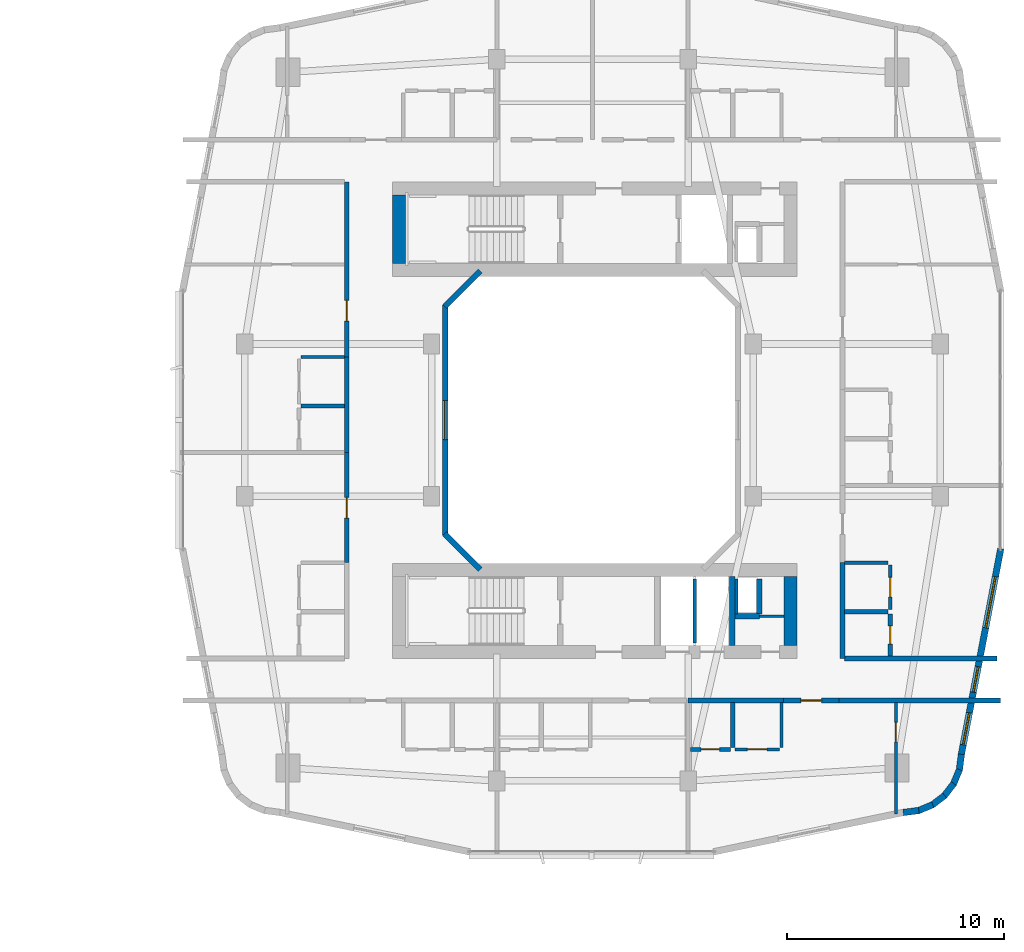
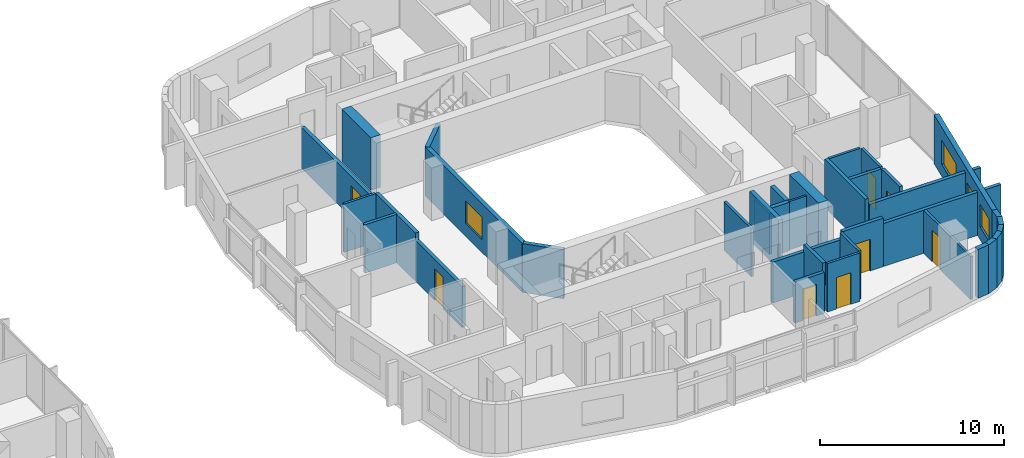
# One storey, part 19 of 27: 37 walls, 8 doors, 4 windows, 12 openings.
"""IFC4 building model written with IfcOpenShell, lengths in metres."""

from ifc_helpers import new_model, si_unit, derived_unit, direction, frame, frame_2d, origin, place, context, subcontext, project, spatial, rectangle, extrude, material, layer, layer_set, type_object, element, fill, save


model = new_model("IFC4")

# Units and contexts
model_context = context("Model", 3, precision=1e-05, world=origin(), true_north=direction((0.0, 1.0)))
body_context = subcontext(model_context, "Body", "Model", "MODEL_VIEW")
ifc_project = project(units=[si_unit("LENGTHUNIT", "METRE"), si_unit("AREAUNIT", "SQUARE_METRE"), si_unit("VOLUMEUNIT", "CUBIC_METRE"), si_unit("PLANEANGLEUNIT", "RADIAN"), si_unit("MASSUNIT", "GRAM", prefix="KILO"), derived_unit("THERMALTRANSMITTANCEUNIT", [(si_unit("POWERUNIT", "WATT"), 1), (si_unit("LENGTHUNIT", "METRE"), -2), (si_unit("THERMODYNAMICTEMPERATUREUNIT", "KELVIN"), -1)])], contexts=[model_context])

# Site, building, storey
site_placement = place(None, origin())
site = spatial("IfcSite", under=ifc_project, at=site_placement, CompositionType="ELEMENT")
building_placement = place(site_placement, origin())
building = spatial("IfcBuilding", under=site, at=building_placement, Name="Kivonza Crest Hotel", CompositionType="ELEMENT")
storey_placement = place(building_placement, frame((0.0, 0.0, 41.5)))
storey = spatial("IfcBuildingStorey", under=building, at=storey_placement, Name="L10", CompositionType="ELEMENT", Elevation=41.5)

# Walls
ifc_material_1 = material(Name="Autoclaved aerated concrete blockwork", Category="masonry")
ifc_layer_1 = layer(ifc_material_1, 0.219970703125)
ifc_layer_set_1 = layer_set([ifc_layer_1], Name="Autoclaved aerated concrete blockwork")
wall_type_1 = type_object("IfcWallType", Name="WL-ACOU-220", PredefinedType="SOLIDWALL", material=ifc_layer_set_1)
wall_1_placement = place(storey_placement, frame((81.39990234375, 12.10009765625, 0.0), z_axis=(0.0, 0.0, 1.0), x_axis=(1.0, 0.0, 0.0)))
element("IfcWall", 1, at=wall_1_placement, inside=storey, type_object=wall_type_1, Name="L10 interior partition WA-L10-A05-LCORR", PredefinedType="SOLIDWALL", context=body_context, shape_type="SweptSolid", body=[
    extrude(rectangle(XDim=4.380126953125, YDim=0.219970703125, at=frame_2d((2.18994140625, 0.0))), origin(), (0.0, 0.0, 1.0), 2.72509765625),
])
wall_2_placement = place(storey_placement, frame((88.35009765625, 12.10009765625, 0.0), z_axis=(0.0, 0.0, 1.0), x_axis=(1.0, 0.0, 0.0)))
element("IfcWall", 2, at=wall_2_placement, inside=storey, type_object=wall_type_1, Name="L10 interior partition WA-L10-A05-RCORR", PredefinedType="SOLIDWALL", context=body_context, shape_type="SweptSolid", body=[
    extrude(rectangle(XDim=7.409912109375, YDim=0.219970703125, at=frame_2d((3.705078125, 0.0))), origin(), (0.0, 0.0, 1.0), 2.864990234375),
])

# Wall, opening, door
wall_3_placement = place(storey_placement, frame((85.780029296875, 12.10009765625, 0.0), z_axis=(0.0, 0.0, 1.0), x_axis=(1.0, 0.0, 0.0)))
wall_3 = element("IfcWall", 3, at=wall_3_placement, inside=storey, type_object=wall_type_1, Name="L10 interior partition WA-L10-A05-MCORR", PredefinedType="SOLIDWALL", context=body_context, shape_type="SweptSolid", body=[
    extrude(rectangle(XDim=2.570068359375, YDim=0.219970703125, at=frame_2d((1.28515625, 0.0))), origin(), (0.0, 0.0, 1.0), 3.219970703125),
])
opening_1_placement = place(wall_3_placement, frame((0.81005859375, 0.0, 0.0)))
opening_1 = element("IfcOpeningElement", 4, at=opening_1_placement, cuts=wall_3, Name="Opening DU-60", PredefinedType="OPENING", context=body_context, shape_type="SweptSolid", body=[
    extrude(rectangle(XDim=0.949951171875, YDim=2.10009765625, at=frame_2d((0.47509765625, 1.050048828125))), frame((0.0, 0.1201171875, 0.0), z_axis=(0.0, -1.0, 0.0), x_axis=(1.0, 0.0, 0.0)), (0.0, 0.0, 1.0), 0.239990234375),
])
ifc_material_2 = material(Name="Hardwood timber oak", Category="wood")
door_type_1 = type_object("IfcDoorType", Name="DR-UNIT-950", OperationType="NOTDEFINED", PredefinedType="DOOR", material=ifc_material_2)
door_1_placement = place(opening_1_placement, frame((0.949951171875, 0.0, 0.0), z_axis=(0.0, 0.0, 1.0), x_axis=(-1.0, 0.0, 0.0)))
door_1 = element("IfcDoor", 5, at=door_1_placement, inside=storey, type_object=door_type_1, Name="L10 A05 apartment entrance fire door", OperationType="SINGLE_SWING_LEFT", OverallHeight=2.10009765625, OverallWidth=0.949951171875, PredefinedType="DOOR", context=body_context, shape_type="SweptSolid", body=[
    extrude(rectangle(XDim=0.949951171875, YDim=2.10009765625, at=frame_2d((0.47509765625, 1.050048828125))), frame((0.0, 0.02490234375, 0.0), z_axis=(0.0, -1.0, 0.0), x_axis=(1.0, 0.0, 0.0)), (0.0, 0.0, 1.0), 0.050048828125),
])
fill(opening_1, door_1)

wall_4_placement = place(storey_placement, frame((65.699951171875, 18.43994140625, 0.0), z_axis=(0.0, 0.0, 1.0), x_axis=(0.0, 1.0, 0.0)))
wall_4 = element("IfcWall", 6, at=wall_4_placement, inside=storey, type_object=wall_type_1, Name="L10 interior partition WA-L10-A06-MCORR", PredefinedType="SOLIDWALL", context=body_context, shape_type="SweptSolid", body=[
    extrude(rectangle(XDim=5.06005859375, YDim=0.219970703125, at=frame_2d((2.530029296875, 0.0))), origin(), (0.0, 0.0, 1.0), 2.72509765625),
])
opening_2_placement = place(wall_4_placement, frame((2.054931640625, 0.0, 0.0)))
opening_2 = element("IfcOpeningElement", 7, at=opening_2_placement, cuts=wall_4, Name="Opening DU-60", PredefinedType="OPENING", context=body_context, shape_type="SweptSolid", body=[
    extrude(rectangle(XDim=0.949951171875, YDim=2.10009765625, at=frame_2d((0.47509765625, 1.050048828125))), frame((0.0, 0.1201171875, 0.0), z_axis=(0.0, -1.0, 0.0), x_axis=(1.0, 0.0, 0.0)), (0.0, 0.0, 1.0), 0.239990234375),
])
door_2_placement = place(opening_2_placement, origin())
door_2 = element("IfcDoor", 8, at=door_2_placement, inside=storey, type_object=door_type_1, Name="L10 A06 apartment entrance fire door", OperationType="SINGLE_SWING_RIGHT", OverallHeight=2.10009765625, OverallWidth=0.949951171875, PredefinedType="DOOR", context=body_context, shape_type="SweptSolid", body=[
    extrude(rectangle(XDim=0.949951171875, YDim=2.10009765625, at=frame_2d((0.47509765625, 1.050048828125))), frame((0.0, 0.02490234375, 0.0), z_axis=(0.0, -1.0, 0.0), x_axis=(1.0, 0.0, 0.0)), (0.0, 0.0, 1.0), 0.050048828125),
])
fill(opening_2, door_2)

# Wall
wall_5_placement = place(storey_placement, frame((65.699951171875, 23.5, 0.0), z_axis=(0.0, 0.0, 1.0), x_axis=(0.0, 1.0, 0.0)))
element("IfcWall", 9, at=wall_5_placement, inside=storey, type_object=wall_type_1, Name="L10 interior partition WA-L10-A07-BCORR", PredefinedType="SOLIDWALL", context=body_context, shape_type="SweptSolid", body=[
    extrude(rectangle(XDim=4.39990234375, YDim=0.219970703125, at=frame_2d((2.199951171875, 0.0))), origin(), (0.0, 0.0, 1.0), 3.219970703125),
])

# Wall, opening, door
wall_6_placement = place(storey_placement, frame((65.699951171875, 27.89990234375, 0.0), z_axis=(0.0, 0.0, 1.0), x_axis=(0.0, 1.0, 0.0)))
wall_6 = element("IfcWall", 10, at=wall_6_placement, inside=storey, type_object=wall_type_1, Name="L10 interior partition WA-L10-A07-MCORR", PredefinedType="SOLIDWALL", context=body_context, shape_type="SweptSolid", body=[
    extrude(rectangle(XDim=8.06005859375, YDim=0.219970703125, at=frame_2d((4.030029296875, 0.0))), origin(), (0.0, 0.0, 1.0), 2.72509765625),
])
opening_3_placement = place(wall_6_placement, frame((1.655029296875, 0.0, 0.0)))
opening_3 = element("IfcOpeningElement", 11, at=opening_3_placement, cuts=wall_6, Name="Opening DU-60", PredefinedType="OPENING", context=body_context, shape_type="SweptSolid", body=[
    extrude(rectangle(XDim=0.949951171875, YDim=2.10009765625, at=frame_2d((0.47509765625, 1.050048828125))), frame((0.0, 0.1201171875, 0.0), z_axis=(0.0, -1.0, 0.0), x_axis=(1.0, 0.0, 0.0)), (0.0, 0.0, 1.0), 0.239990234375),
])
door_3_placement = place(opening_3_placement, origin())
door_3 = element("IfcDoor", 12, at=door_3_placement, inside=storey, type_object=door_type_1, Name="L10 A07 apartment entrance fire door", OperationType="SINGLE_SWING_LEFT", OverallHeight=2.10009765625, OverallWidth=0.949951171875, PredefinedType="DOOR", context=body_context, shape_type="SweptSolid", body=[
    extrude(rectangle(XDim=0.949951171875, YDim=2.10009765625, at=frame_2d((0.47509765625, 1.050048828125))), frame((0.0, 0.02490234375, 0.0), z_axis=(0.0, -1.0, 0.0), x_axis=(1.0, 0.0, 0.0)), (0.0, 0.0, 1.0), 0.050048828125),
])
fill(opening_3, door_3)

# Walls
wall_7_placement = place(storey_placement, frame((88.60009765625, 14.0400390625, 0.0), z_axis=(0.0, 0.0, 1.0), x_axis=(1.0, 0.0, 0.0)))
element("IfcWall", 13, at=wall_7_placement, inside=storey, type_object=wall_type_1, Name="L10 interior partition WA-L10-T2E-ENDS", PredefinedType="SOLIDWALL", context=body_context, shape_type="SweptSolid", body=[
    extrude(rectangle(XDim=7.0, YDim=0.219970703125, at=frame_2d((3.5, 0.0))), origin(), (0.0, 0.0, 1.0), 2.864990234375),
])
wall_8_placement = place(storey_placement, frame((88.5, 14.0400390625, 0.0), z_axis=(0.0, 0.0, 1.0), x_axis=(0.0, 1.0, 0.0)))
element("IfcWall", 14, at=wall_8_placement, inside=storey, type_object=wall_type_1, Name="L10 interior partition WA-L10-A08-BCORR", PredefinedType="SOLIDWALL", context=body_context, shape_type="SweptSolid", body=[
    extrude(rectangle(XDim=4.39990234375, YDim=0.219970703125, at=frame_2d((2.199951171875, 0.0))), origin(), (0.0, 0.0, 1.0), 3.219970703125),
])
ifc_material_3 = material(Name="Concrete C60/75", Category="concrete")
ifc_layer_2 = layer(ifc_material_3, 0.60009765625)
ifc_layer_set_2 = layer_set([ifc_layer_2], Name="Concrete C60/75")
wall_type_2 = type_object("IfcWallType", Name="WL-CORE-600", PredefinedType="SHEAR", material=ifc_layer_set_2)
for number, where, z_axis, x_axis, name in (
    (15, (68.10009765625, 32.199951171875, 0.0), (0.0, 0.0, 1.0), (0.0, 1.0, 0.0), "Core wall T2-N West L10"),
    (16, (86.10009765625, 14.639892578125, 0.0), (0.0, 0.0, 1.0), (0.0, 1.0, 0.0), "Core wall T2-S East L10"),
):
    element("IfcWall", number, at=place(storey_placement, frame(where, z_axis=z_axis, x_axis=x_axis)), inside=storey, type_object=wall_type_2, Name=name, PredefinedType="SHEAR", context=body_context, shape_type="SweptSolid", body=[
        extrude(rectangle(XDim=3.16015625, YDim=0.60009765625, at=frame_2d((1.580078125, 0.0))), origin(), (0.0, 0.0, 1.0), 3.5),
    ])
ifc_material_4 = material(Name="Precast concrete C40/50", Category="concrete")
ifc_layer_3 = layer(ifc_material_4, 0.260009765625)
ifc_layer_set_3 = layer_set([ifc_layer_3], Name="Precast concrete C40/50")
wall_type_3 = type_object("IfcWallType", Name="WL-EXT-260", PredefinedType="STANDARD", material=ifc_layer_set_3)
wall_9_placement = place(storey_placement, frame((71.837890625, 31.862060546875, 0.0), z_axis=(0.0, 0.0, 1.0), x_axis=(-0.707053950914, -0.707159607512, 0.0)))
element("IfcWall", 17, at=wall_9_placement, inside=storey, type_object=wall_type_3, Name="L10 T2 light-well exterior wall 6", PredefinedType="STANDARD", context=body_context, shape_type="SweptSolid", body=[
    extrude(rectangle(XDim=2.310791015625, YDim=0.260009765625, at=frame_2d((1.1552734375, 0.0))), origin(), (0.0, 0.0, 1.0), 3.25),
])

# Wall, opening, window
wall_10_placement = place(storey_placement, frame((70.22998046875, 30.2900390625, 0.0), z_axis=(0.0, 0.0, 1.0), x_axis=(0.0, -1.0, 0.0)))
wall_10 = element("IfcWall", 18, at=wall_10_placement, inside=storey, type_object=wall_type_3, Name="L10 T2 light-well exterior wall 7", PredefinedType="STANDARD", context=body_context, shape_type="SweptSolid", body=[
    extrude(rectangle(XDim=10.580078125, YDim=0.260009765625, at=frame_2d((5.2900390625, 0.0))), origin(), (0.0, 0.0, 1.0), 3.25),
])
opening_4_placement = place(wall_10_placement, frame((4.389892578125, 0.0, 0.85009765625)))
opening_4 = element("IfcOpeningElement", 19, at=opening_4_placement, cuts=wall_10, Name="Opening WN-03", PredefinedType="OPENING", context=body_context, shape_type="SweptSolid", body=[
    extrude(rectangle(XDim=1.800048828125, YDim=1.5, at=frame_2d((0.89990234375, 0.75))), frame((0.0, 0.14013671875, 0.0), z_axis=(0.0, -1.0, 0.0), x_axis=(1.0, 0.0, 0.0)), (0.0, 0.0, 1.0), 0.280029296875),
])
ifc_material_5 = material(Name="Thermally broken bronze aluminium and low-E double glazing", Category="aluminium")
window_type_1 = type_object("IfcWindowType", Name="WN-180x150", PartitioningType="DOUBLE_PANEL_VERTICAL", PredefinedType="WINDOW", material=ifc_material_5)
window_1_placement = place(opening_4_placement, origin())
window_1 = element("IfcWindow", 20, at=window_1_placement, inside=storey, type_object=window_type_1, Name="L10 T2 light-well window 7", OverallHeight=1.5, OverallWidth=1.800048828125, PartitioningType="SINGLE_PANEL", PredefinedType="WINDOW", context=body_context, shape_type="SweptSolid", body=[
    extrude(rectangle(XDim=1.800048828125, YDim=1.5, at=frame_2d((0.89990234375, 0.75))), frame((0.0, 0.030029296875, 0.0), z_axis=(0.0, -1.0, 0.0), x_axis=(1.0, 0.0, 0.0)), (0.0, 0.0, 1.0), 0.06005859375),
])
fill(opening_4, window_1)

# Walls
wall_11_placement = place(storey_placement, frame((70.2041015625, 19.77197265625, 0.0), z_axis=(0.0, 0.0, 1.0), x_axis=(0.707053950914, -0.707159607512, 0.0)))
element("IfcWall", 21, at=wall_11_placement, inside=storey, type_object=wall_type_3, Name="L10 T2 light-well exterior wall 8", PredefinedType="STANDARD", context=body_context, shape_type="SweptSolid", body=[
    extrude(rectangle(XDim=2.310791015625, YDim=0.260009765625, at=frame_2d((1.1552734375, 0.0))), origin(), (0.0, 0.0, 1.0), 3.25),
])
ifc_layer_4 = layer(ifc_material_4, 0.300048828125)
ifc_layer_set_4 = layer_set([ifc_layer_4], Name="Precast concrete C40/50")
wall_type_4 = type_object("IfcWallType", Name="WL-EXT-300", PredefinedType="STANDARD", material=ifc_layer_set_4)
wall_12_placement = place(storey_placement, frame((91.29296875, 6.947998046875, 0.0), z_axis=(0.0, 0.0, 1.0), x_axis=(0.991486167159, 0.13021205909, 0.0)))
element("IfcWall", 22, at=wall_12_placement, inside=storey, type_object=wall_type_4, Name="L10 T2 exterior insulated wall 10", PredefinedType="STANDARD", context=body_context, shape_type="SweptSolid", body=[
    extrude(rectangle(XDim=0.729248046875, YDim=0.300048828125, at=frame_2d((0.36474609375, 0.0))), origin(), (0.0, 0.0, 1.0), 3.25),
])
for number, where, z_axis, x_axis, name in (
    (23, (91.965087890625, 7.02392578125, 0.0), (0.0, 0.0, 1.0), (0.923521684703, 0.383546213491, 0.0), "L10 T2 exterior insulated wall 11"),
    (24, (92.60888671875, 7.279052734375, 0.0), (0.0, 0.0, 1.0), (0.79363269798, 0.608397189915, 0.0), "L10 T2 exterior insulated wall 12"),
    (25, (93.166015625, 7.69091796875, 0.0), (0.0, 0.0, 1.0), (0.608603261071, 0.793474681772, 0.0), "L10 T2 exterior insulated wall 13"),
):
    element("IfcWall", number, at=place(storey_placement, frame(where, z_axis=z_axis, x_axis=x_axis)), inside=storey, type_object=wall_type_4, Name=name, PredefinedType="STANDARD", context=body_context, shape_type="SweptSolid", body=[
        extrude(rectangle(XDim=0.74609375, YDim=0.300048828125, at=frame_2d((0.373046875, 0.0))), origin(), (0.0, 0.0, 1.0), 3.25),
    ])
wall_13_placement = place(storey_placement, frame((93.595947265625, 8.23388671875, 0.0), z_axis=(0.0, 0.0, 1.0), x_axis=(0.383430326427, 0.923569805037, 0.0)))
element("IfcWall", 26, at=wall_13_placement, inside=storey, type_object=wall_type_4, Name="L10 T2 exterior insulated wall 14", PredefinedType="STANDARD", context=body_context, shape_type="SweptSolid", body=[
    extrude(rectangle(XDim=0.746337890625, YDim=0.300048828125, at=frame_2d((0.373046875, 0.0))), origin(), (0.0, 0.0, 1.0), 3.25),
])
wall_14_placement = place(storey_placement, frame((93.873046875, 8.868896484375, 0.0), z_axis=(0.0, 0.0, 1.0), x_axis=(0.129339184068, 0.991600411186, 0.0)))
element("IfcWall", 27, at=wall_14_placement, inside=storey, type_object=wall_type_4, Name="L10 T2 exterior insulated wall 15", PredefinedType="STANDARD", context=body_context, shape_type="SweptSolid", body=[
    extrude(rectangle(XDim=0.764404296875, YDim=0.300048828125, at=frame_2d((0.38232421875, 0.0))), origin(), (0.0, 0.0, 1.0), 3.25),
])

# Wall, openings, windows
wall_15_placement = place(storey_placement, frame((93.970947265625, 9.6201171875, 0.0), z_axis=(0.0, 0.0, 1.0), x_axis=(0.188087874316, 0.982152203854, 0.0)))
wall_15 = element("IfcWall", 28, at=wall_15_placement, inside=storey, type_object=wall_type_4, Name="L10 T2 exterior insulated wall 16", PredefinedType="STANDARD", context=body_context, shape_type="SweptSolid", body=[
    extrude(rectangle(XDim=9.6337890625, YDim=0.300048828125, at=frame_2d((4.81689453125, 0.0))), origin(), (0.0, 0.0, 1.0), 3.25),
])
opening_5_placement = place(wall_15_placement, frame((0.451904296875, 0.0, 0.85009765625)))
opening_5 = element("IfcOpeningElement", 29, at=opening_5_placement, cuts=wall_15, Name="Opening WN-02", PredefinedType="OPENING", context=body_context, shape_type="SweptSolid", body=[
    extrude(rectangle(XDim=1.5, YDim=1.5, at=frame_2d((0.75, 0.75))), frame((0.0, 0.16015625, 0.0), z_axis=(0.0, -1.0, 0.0), x_axis=(1.0, 0.0, 0.0)), (0.0, 0.0, 1.0), 0.320068359375),
])
opening_6_placement = place(wall_15_placement, frame((2.9130859375, 0.0, 0.85009765625)))
opening_6 = element("IfcOpeningElement", 30, at=opening_6_placement, cuts=wall_15, Name="Opening WN-01", PredefinedType="OPENING", context=body_context, shape_type="SweptSolid", body=[
    extrude(rectangle(XDim=1.199951171875, YDim=1.5, at=frame_2d((0.60009765625, 0.75))), frame((0.0, 0.16015625, 0.0), z_axis=(0.0, -1.0, 0.0), x_axis=(1.0, 0.0, 0.0)), (0.0, 0.0, 1.0), 0.320068359375),
])
opening_7_placement = place(wall_15_placement, frame((5.927978515625, 0.0, 0.800048828125)))
opening_7 = element("IfcOpeningElement", 31, at=opening_7_placement, cuts=wall_15, Name="Opening WN-05", PredefinedType="OPENING", context=body_context, shape_type="SweptSolid", body=[
    extrude(rectangle(XDim=2.39990234375, YDim=1.60009765625, at=frame_2d((1.199951171875, 0.800048828125))), frame((0.0, 0.16015625, 0.0), z_axis=(0.0, -1.0, 0.0), x_axis=(1.0, 0.0, 0.0)), (0.0, 0.0, 1.0), 0.320068359375),
])
window_type_2 = type_object("IfcWindowType", Name="WN-120x150", PartitioningType="SINGLE_PANEL", PredefinedType="WINDOW", material=ifc_material_5)
window_2_placement = place(opening_6_placement, origin())
window_2 = element("IfcWindow", 32, at=window_2_placement, inside=storey, type_object=window_type_2, Name="L10 T2 facade window 16 bay 2", OverallHeight=1.5, OverallWidth=1.199951171875, PartitioningType="SINGLE_PANEL", PredefinedType="WINDOW", context=body_context, shape_type="SweptSolid", body=[
    extrude(rectangle(XDim=1.199951171875, YDim=1.5, at=frame_2d((0.60009765625, 0.75))), frame((0.0, 0.030029296875, 0.0), z_axis=(0.0, -1.0, 0.0), x_axis=(1.0, 0.0, 0.0)), (0.0, 0.0, 1.0), 0.06005859375),
])
fill(opening_6, window_2)
window_type_3 = type_object("IfcWindowType", Name="WN-150x150", PartitioningType="DOUBLE_PANEL_VERTICAL", PredefinedType="WINDOW", material=ifc_material_5)
window_3_placement = place(opening_5_placement, origin())
window_3 = element("IfcWindow", 33, at=window_3_placement, inside=storey, type_object=window_type_3, Name="L10 T2 facade window 16 bay 1", OverallHeight=1.5, OverallWidth=1.5, PartitioningType="SINGLE_PANEL", PredefinedType="WINDOW", context=body_context, shape_type="SweptSolid", body=[
    extrude(rectangle(XDim=1.5, YDim=1.5, at=frame_2d((0.75, 0.75))), frame((0.0, 0.030029296875, 0.0), z_axis=(0.0, -1.0, 0.0), x_axis=(1.0, 0.0, 0.0)), (0.0, 0.0, 1.0), 0.06005859375),
])
fill(opening_5, window_3)
window_type_4 = type_object("IfcWindowType", Name="WN-240x160", PartitioningType="TRIPLE_PANEL_VERTICAL", PredefinedType="WINDOW", material=ifc_material_5)
window_4_placement = place(opening_7_placement, origin())
window_4 = element("IfcWindow", 34, at=window_4_placement, inside=storey, type_object=window_type_4, Name="L10 T2 facade window 16 bay 3", OverallHeight=1.60009765625, OverallWidth=2.39990234375, PartitioningType="SINGLE_PANEL", PredefinedType="WINDOW", context=body_context, shape_type="SweptSolid", body=[
    extrude(rectangle(XDim=2.39990234375, YDim=1.60009765625, at=frame_2d((1.199951171875, 0.800048828125))), frame((0.0, 0.030029296875, 0.0), z_axis=(0.0, -1.0, 0.0), x_axis=(1.0, 0.0, 0.0)), (0.0, 0.0, 1.0), 0.06005859375),
])
fill(opening_7, window_4)

# Walls
ifc_material_6 = material(Name="Concrete blockwork fire-compartment wall", Category="masonry")
ifc_layer_5 = layer(ifc_material_6, 0.25)
ifc_layer_set_5 = layer_set([ifc_layer_5], Name="Concrete blockwork fire-compartment wall")
wall_type_5 = type_object("IfcWallType", Name="WL-FIRE-250", PredefinedType="SOLIDWALL", material=ifc_layer_set_5)
wall_16_placement = place(storey_placement, frame((84.679931640625, 16.080078125, 0.0), z_axis=(0.0, 0.0, 1.0), x_axis=(0.0, 1.0, 0.0)))
element("IfcWall", 35, at=wall_16_placement, inside=storey, type_object=wall_type_5, Name="L10 interior partition WA-L10-T2-S-MEPR-E", PredefinedType="SOLIDWALL", context=body_context, shape_type="SweptSolid", body=[
    extrude(rectangle(XDim=1.619873046875, YDim=0.25, at=frame_2d((0.81005859375, 0.0))), origin(), (0.0, 0.0, 1.0), 3.219970703125),
])
wall_17_placement = place(storey_placement, frame((83.550048828125, 15.97998046875, 0.0), z_axis=(0.0, 0.0, 1.0), x_axis=(1.0, 0.0, 0.0)))
element("IfcWall", 36, at=wall_17_placement, inside=storey, type_object=wall_type_5, Name="L10 interior partition WA-L10-T2-S-MEPR-H", PredefinedType="SOLIDWALL", context=body_context, shape_type="SweptSolid", body=[
    extrude(rectangle(XDim=1.1298828125, YDim=0.25, at=frame_2d((0.56494140625, 0.0))), origin(), (0.0, 0.0, 1.0), 3.219970703125),
])
ifc_material_7 = material(Name="Metal-stud gypsum board partition", Category="gypsum")
ifc_layer_6 = layer(ifc_material_7, 0.125)
ifc_layer_set_6 = layer_set([ifc_layer_6], Name="Metal-stud gypsum board partition")
wall_type_6 = type_object("IfcWallType", Name="WL-PART-125", PredefinedType="PARTITIONING", material=ifc_layer_set_6)
wall_18_placement = place(storey_placement, frame((84.679931640625, 15.97998046875, 0.0), z_axis=(0.0, 0.0, 1.0), x_axis=(1.0, 0.0, 0.0)))
element("IfcWall", 37, at=wall_18_placement, inside=storey, type_object=wall_type_6, Name="L10 interior partition WP-L10-T2-S-T2H", PredefinedType="PARTITIONING", context=body_context, shape_type="SweptSolid", body=[
    extrude(rectangle(XDim=1.1201171875, YDim=0.125, at=frame_2d((0.56005859375, 0.0))), origin(), (0.0, 0.0, 1.0), 3.219970703125),
])
ifc_material_8 = material(Name="Twin-stud acoustic gypsum board partition", Category="gypsum")
ifc_layer_7 = layer(ifc_material_8, 0.14990234375)
ifc_layer_set_7 = layer_set([ifc_layer_7], Name="Twin-stud acoustic gypsum board partition")
wall_type_7 = type_object("IfcWallType", Name="WL-PART-150", PredefinedType="PARTITIONING", material=ifc_layer_set_7)
wall_19_placement = place(storey_placement, frame((83.6298828125, 16.080078125, 0.0), z_axis=(0.0, 0.0, 1.0), x_axis=(0.0, 1.0, 0.0)))
element("IfcWall", 38, at=wall_19_placement, inside=storey, type_object=wall_type_7, Name="L10 interior partition WA-L10-T2-S-MEPR-W", PredefinedType="PARTITIONING", context=body_context, shape_type="SweptSolid", body=[
    extrude(rectangle(XDim=1.619873046875, YDim=0.14990234375, at=frame_2d((0.81005859375, 0.0))), origin(), (0.0, 0.0, 1.0), 2.72509765625),
])
wall_20_placement = place(storey_placement, frame((81.699951171875, 14.739990234375, 0.0), z_axis=(0.0, 0.0, 1.0), x_axis=(0.0, 1.0, 0.0)))
element("IfcWall", 39, at=wall_20_placement, inside=storey, type_object=wall_type_7, Name="L10 interior partition WP-L10-T2-S-BSH-1", PredefinedType="PARTITIONING", context=body_context, shape_type="SweptSolid", body=[
    extrude(rectangle(XDim=2.9599609375, YDim=0.14990234375, at=frame_2d((1.47998046875, 0.0))), origin(), (0.0, 0.0, 1.0), 3.219970703125),
])

# Wall, opening, door
wall_21_placement = place(storey_placement, frame((90.9599609375, 6.886962890625, 0.0), z_axis=(0.0, 0.0, 1.0), x_axis=(0.0, 1.0, 0.0)))
wall_21 = element("IfcWall", 40, at=wall_21_placement, inside=storey, type_object=wall_type_7, Name="L10 interior partition WP-L10-A05-BDW1", PredefinedType="PARTITIONING", context=body_context, shape_type="SweptSolid", body=[
    extrude(rectangle(XDim=5.113037109375, YDim=0.14990234375, at=frame_2d((2.556640625, 0.0))), origin(), (0.0, 0.0, 1.0), 2.864990234375),
])
opening_8_placement = place(wall_21_placement, frame((3.31005859375, 0.0, 0.0)))
opening_8 = element("IfcOpeningElement", 41, at=opening_8_placement, cuts=wall_21, Name="Opening DI-90", PredefinedType="OPENING", context=body_context, shape_type="SweptSolid", body=[
    extrude(rectangle(XDim=0.89990234375, YDim=2.10009765625, at=frame_2d((0.449951171875, 1.050048828125))), frame((0.0, 0.0849609375, 0.0), z_axis=(0.0, -1.0, 0.0), x_axis=(1.0, 0.0, 0.0)), (0.0, 0.0, 1.0), 0.169921875),
])
door_type_2 = type_object("IfcDoorType", Name="DR-INT-900", OperationType="NOTDEFINED", PredefinedType="DOOR", material=ifc_material_2)
door_4_placement = place(opening_8_placement, origin())
door_4 = element("IfcDoor", 42, at=door_4_placement, inside=storey, type_object=door_type_2, Name="L10 A05 bedroom 1 door", OperationType="SINGLE_SWING_RIGHT", OverallHeight=2.10009765625, OverallWidth=0.89990234375, PredefinedType="DOOR", context=body_context, shape_type="SweptSolid", body=[
    extrude(rectangle(XDim=0.89990234375, YDim=2.10009765625, at=frame_2d((0.449951171875, 1.050048828125))), frame((0.0, 0.02490234375, 0.0), z_axis=(0.0, -1.0, 0.0), x_axis=(1.0, 0.0, 0.0)), (0.0, 0.0, 1.0), 0.050048828125),
])
fill(opening_8, door_4)

# Wall
wall_22_placement = place(storey_placement, frame((85.699951171875, 9.949951171875, 0.0), z_axis=(0.0, 0.0, 1.0), x_axis=(0.0, 1.0, 0.0)))
element("IfcWall", 43, at=wall_22_placement, inside=storey, type_object=wall_type_7, Name="L10 interior partition WP-L10-A05-KF", PredefinedType="PARTITIONING", context=body_context, shape_type="SweptSolid", body=[
    extrude(rectangle(XDim=2.050048828125, YDim=0.14990234375, at=frame_2d((1.02490234375, 0.0))), origin(), (0.0, 0.0, 1.0), 3.219970703125),
])

# Wall, opening, door
wall_23_placement = place(storey_placement, frame((83.550048828125, 9.85009765625, 0.0), z_axis=(0.0, 0.0, 1.0), x_axis=(1.0, 0.0, 0.0)))
wall_23 = element("IfcWall", 44, at=wall_23_placement, inside=storey, type_object=wall_type_7, Name="L10 interior partition WP-L10-A05-KSVC", PredefinedType="PARTITIONING", context=body_context, shape_type="SweptSolid", body=[
    extrude(rectangle(XDim=2.050048828125, YDim=0.14990234375, at=frame_2d((1.02490234375, 0.0))), origin(), (0.0, 0.0, 1.0), 3.219970703125),
])
opening_9_placement = place(wall_23_placement, frame((0.574951171875, 0.0, 0.0)))
opening_9 = element("IfcOpeningElement", 45, at=opening_9_placement, cuts=wall_23, Name="Opening DI-90", PredefinedType="OPENING", context=body_context, shape_type="SweptSolid", body=[
    extrude(rectangle(XDim=0.89990234375, YDim=2.10009765625, at=frame_2d((0.449951171875, 1.050048828125))), frame((0.0, 0.0849609375, 0.0), z_axis=(0.0, -1.0, 0.0), x_axis=(1.0, 0.0, 0.0)), (0.0, 0.0, 1.0), 0.169921875),
])
door_5_placement = place(opening_9_placement, frame((0.89990234375, 0.0, 0.0), z_axis=(0.0, 0.0, 1.0), x_axis=(-1.0, 0.0, 0.0)))
door_5 = element("IfcDoor", 46, at=door_5_placement, inside=storey, type_object=door_type_2, Name="L10 A05 apartment kitchen door", OperationType="SINGLE_SWING_LEFT", OverallHeight=2.10009765625, OverallWidth=0.89990234375, PredefinedType="DOOR", context=body_context, shape_type="SweptSolid", body=[
    extrude(rectangle(XDim=0.89990234375, YDim=2.10009765625, at=frame_2d((0.449951171875, 1.050048828125))), frame((0.0, 0.02490234375, 0.0), z_axis=(0.0, -1.0, 0.0), x_axis=(1.0, 0.0, 0.0)), (0.0, 0.0, 1.0), 0.050048828125),
])
fill(opening_9, door_5)

# Walls
for number, where, z_axis, x_axis, name in (
    (47, (63.60009765625, 27.89990234375, 0.0), (0.0, 0.0, 1.0), (1.0, 0.0, 0.0), "L10 interior partition WP-L10-A07-KF"),
    (48, (88.60009765625, 18.43994140625, 0.0), (0.0, 0.0, 1.0), (1.0, 0.0, 0.0), "L10 interior partition WP-L10-A08-KF"),
):
    element("IfcWall", number, at=place(storey_placement, frame(where, z_axis=z_axis, x_axis=x_axis)), inside=storey, type_object=wall_type_7, Name=name, PredefinedType="PARTITIONING", context=body_context, shape_type="SweptSolid", body=[
        extrude(rectangle(XDim=2.0, YDim=0.14990234375, at=frame_2d((1.0, 0.0))), origin(), (0.0, 0.0, 1.0), 3.219970703125),
    ])

# Wall, opening, door
wall_24_placement = place(storey_placement, frame((90.699951171875, 16.2900390625, 0.0), z_axis=(0.0, 0.0, 1.0), x_axis=(0.0, 1.0, 0.0)))
wall_24 = element("IfcWall", 49, at=wall_24_placement, inside=storey, type_object=wall_type_7, Name="L10 interior partition WP-L10-A08-KSVC", PredefinedType="PARTITIONING", context=body_context, shape_type="SweptSolid", body=[
    extrude(rectangle(XDim=2.050048828125, YDim=0.14990234375, at=frame_2d((1.02490234375, 0.0))), origin(), (0.0, 0.0, 1.0), 3.219970703125),
])
opening_10_placement = place(wall_24_placement, frame((0.574951171875, 0.0, 0.0)))
opening_10 = element("IfcOpeningElement", 50, at=opening_10_placement, cuts=wall_24, Name="Opening DI-90", PredefinedType="OPENING", context=body_context, shape_type="SweptSolid", body=[
    extrude(rectangle(XDim=0.89990234375, YDim=2.10009765625, at=frame_2d((0.449951171875, 1.050048828125))), frame((0.0, 0.0849609375, 0.0), z_axis=(0.0, -1.0, 0.0), x_axis=(1.0, 0.0, 0.0)), (0.0, 0.0, 1.0), 0.169921875),
])
door_6_placement = place(opening_10_placement, frame((0.89990234375, 0.0, 0.0), z_axis=(0.0, 0.0, 1.0), x_axis=(-1.0, 0.0, 0.0)))
door_6 = element("IfcDoor", 51, at=door_6_placement, inside=storey, type_object=door_type_2, Name="L10 A08 apartment kitchen door", OperationType="SINGLE_SWING_RIGHT", OverallHeight=2.10009765625, OverallWidth=0.89990234375, PredefinedType="DOOR", context=body_context, shape_type="SweptSolid", body=[
    extrude(rectangle(XDim=0.89990234375, YDim=2.10009765625, at=frame_2d((0.449951171875, 1.050048828125))), frame((0.0, 0.02490234375, 0.0), z_axis=(0.0, -1.0, 0.0), x_axis=(1.0, 0.0, 0.0)), (0.0, 0.0, 1.0), 0.050048828125),
])
fill(opening_10, door_6)

# Wall
ifc_material_9 = material(Name="Moisture-resistant plumbing chase partition wall", Category="gypsum")
ifc_layer_8 = layer(ifc_material_9, 0.199951171875)
ifc_layer_set_8 = layer_set([ifc_layer_8], Name="Moisture-resistant plumbing chase partition wall")
wall_type_8 = type_object("IfcWallType", Name="WL-PLUMB-200", PredefinedType="PLUMBINGWALL", material=ifc_layer_set_8)
wall_25_placement = place(storey_placement, frame((83.449951171875, 9.949951171875, 0.0), z_axis=(0.0, 0.0, 1.0), x_axis=(0.0, 1.0, 0.0)))
element("IfcWall", 52, at=wall_25_placement, inside=storey, type_object=wall_type_8, Name="L10 interior partition WW-L10-A05-BK", PredefinedType="PLUMBINGWALL", context=body_context, shape_type="SweptSolid", body=[
    extrude(rectangle(XDim=2.050048828125, YDim=0.199951171875, at=frame_2d((1.02490234375, 0.0))), origin(), (0.0, 0.0, 1.0), 3.219970703125),
])

# Wall, opening, door
wall_26_placement = place(storey_placement, frame((81.5, 9.85009765625, 0.0), z_axis=(0.0, 0.0, 1.0), x_axis=(1.0, 0.0, 0.0)))
wall_26 = element("IfcWall", 53, at=wall_26_placement, inside=storey, type_object=wall_type_8, Name="L10 interior partition WW-L10-A05-BSVC", PredefinedType="PLUMBINGWALL", context=body_context, shape_type="SweptSolid", body=[
    extrude(rectangle(XDim=1.85009765625, YDim=0.199951171875, at=frame_2d((0.925048828125, 0.0))), origin(), (0.0, 0.0, 1.0), 2.72509765625),
])
opening_11_placement = place(wall_26_placement, frame((0.5, 0.0, 0.0)))
opening_11 = element("IfcOpeningElement", 54, at=opening_11_placement, cuts=wall_26, Name="Opening DI-85", PredefinedType="OPENING", context=body_context, shape_type="SweptSolid", body=[
    extrude(rectangle(XDim=0.85009765625, YDim=2.10009765625, at=frame_2d((0.425048828125, 1.050048828125))), frame((0.0, 0.10986328125, 0.0), z_axis=(0.0, -1.0, 0.0), x_axis=(1.0, 0.0, 0.0)), (0.0, 0.0, 1.0), 0.219970703125),
])
door_type_3 = type_object("IfcDoorType", Name="DR-INT-850", OperationType="NOTDEFINED", PredefinedType="DOOR", material=ifc_material_2)
door_7_placement = place(opening_11_placement, frame((0.85009765625, 0.0, 0.0), z_axis=(0.0, 0.0, 1.0), x_axis=(-1.0, 0.0, 0.0)))
door_7 = element("IfcDoor", 55, at=door_7_placement, inside=storey, type_object=door_type_3, Name="L10 A05 apartment bathroom door", OperationType="SINGLE_SWING_RIGHT", OverallHeight=2.10009765625, OverallWidth=0.85009765625, PredefinedType="DOOR", context=body_context, shape_type="SweptSolid", body=[
    extrude(rectangle(XDim=0.85009765625, YDim=2.10009765625, at=frame_2d((0.425048828125, 1.050048828125))), frame((0.0, 0.02490234375, 0.0), z_axis=(0.0, -1.0, 0.0), x_axis=(1.0, 0.0, 0.0)), (0.0, 0.0, 1.0), 0.050048828125),
])
fill(opening_11, door_7)

# Walls
for number, where, z_axis, x_axis, name in (
    (56, (63.60009765625, 25.64990234375, 0.0), (0.0, 0.0, 1.0), (1.0, 0.0, 0.0), "L10 interior partition WW-L10-A07-BK"),
    (57, (88.60009765625, 16.18994140625, 0.0), (0.0, 0.0, 1.0), (1.0, 0.0, 0.0), "L10 interior partition WW-L10-A08-BK"),
):
    element("IfcWall", number, at=place(storey_placement, frame(where, z_axis=z_axis, x_axis=x_axis)), inside=storey, type_object=wall_type_8, Name=name, PredefinedType="PLUMBINGWALL", context=body_context, shape_type="SweptSolid", body=[
        extrude(rectangle(XDim=2.0, YDim=0.199951171875, at=frame_2d((1.0, 0.0))), origin(), (0.0, 0.0, 1.0), 3.219970703125),
    ])

# Wall, opening, door
wall_27_placement = place(storey_placement, frame((90.699951171875, 14.139892578125, 0.0), z_axis=(0.0, 0.0, 1.0), x_axis=(0.0, 1.0, 0.0)))
wall_27 = element("IfcWall", 58, at=wall_27_placement, inside=storey, type_object=wall_type_8, Name="L10 interior partition WW-L10-A08-BSVC", PredefinedType="PLUMBINGWALL", context=body_context, shape_type="SweptSolid", body=[
    extrude(rectangle(XDim=1.9501953125, YDim=0.199951171875, at=frame_2d((0.97509765625, 0.0))), origin(), (0.0, 0.0, 1.0), 3.219970703125),
])
opening_12_placement = place(wall_27_placement, frame((0.550048828125, 0.0, 0.0)))
opening_12 = element("IfcOpeningElement", 59, at=opening_12_placement, cuts=wall_27, Name="Opening DI-85", PredefinedType="OPENING", context=body_context, shape_type="SweptSolid", body=[
    extrude(rectangle(XDim=0.85009765625, YDim=2.10009765625, at=frame_2d((0.425048828125, 1.050048828125))), frame((0.0, 0.10986328125, 0.0), z_axis=(0.0, -1.0, 0.0), x_axis=(1.0, 0.0, 0.0)), (0.0, 0.0, 1.0), 0.219970703125),
])
door_8_placement = place(opening_12_placement, frame((0.85009765625, 0.0, 0.0), z_axis=(0.0, 0.0, 1.0), x_axis=(-1.0, 0.0, 0.0)))
door_8 = element("IfcDoor", 60, at=door_8_placement, inside=storey, type_object=door_type_3, Name="L10 A08 apartment bathroom door", OperationType="SINGLE_SWING_LEFT", OverallHeight=2.10009765625, OverallWidth=0.85009765625, PredefinedType="DOOR", context=body_context, shape_type="SweptSolid", body=[
    extrude(rectangle(XDim=0.85009765625, YDim=2.10009765625, at=frame_2d((0.425048828125, 1.050048828125))), frame((0.0, 0.02490234375, 0.0), z_axis=(0.0, -1.0, 0.0), x_axis=(1.0, 0.0, 0.0)), (0.0, 0.0, 1.0), 0.050048828125),
])
fill(opening_12, door_8)

# Wall
ifc_material_10 = material(Name="Concrete C50/60", Category="concrete")
ifc_layer_9 = layer(ifc_material_10, 0.25)
ifc_layer_set_9 = layer_set([ifc_layer_9], Name="Concrete C50/60")
wall_type_9 = type_object("IfcWallType", Name="WL-SHAFT-250", PredefinedType="STANDARD", material=ifc_layer_set_9)
wall_28_placement = place(storey_placement, frame((83.425048828125, 14.639892578125, 0.0), z_axis=(0.0, 0.0, 1.0), x_axis=(0.0, 1.0, 0.0)))
element("IfcWall", 61, at=wall_28_placement, inside=storey, type_object=wall_type_9, Name="Core shaft wall T2-S BANK-E L10", PredefinedType="STANDARD", context=body_context, shape_type="SweptSolid", body=[
    extrude(rectangle(XDim=3.16015625, YDim=0.25, at=frame_2d((1.580078125, 0.0))), origin(), (0.0, 0.0, 1.0), 3.25),
])

save(model, "model.ifc")
